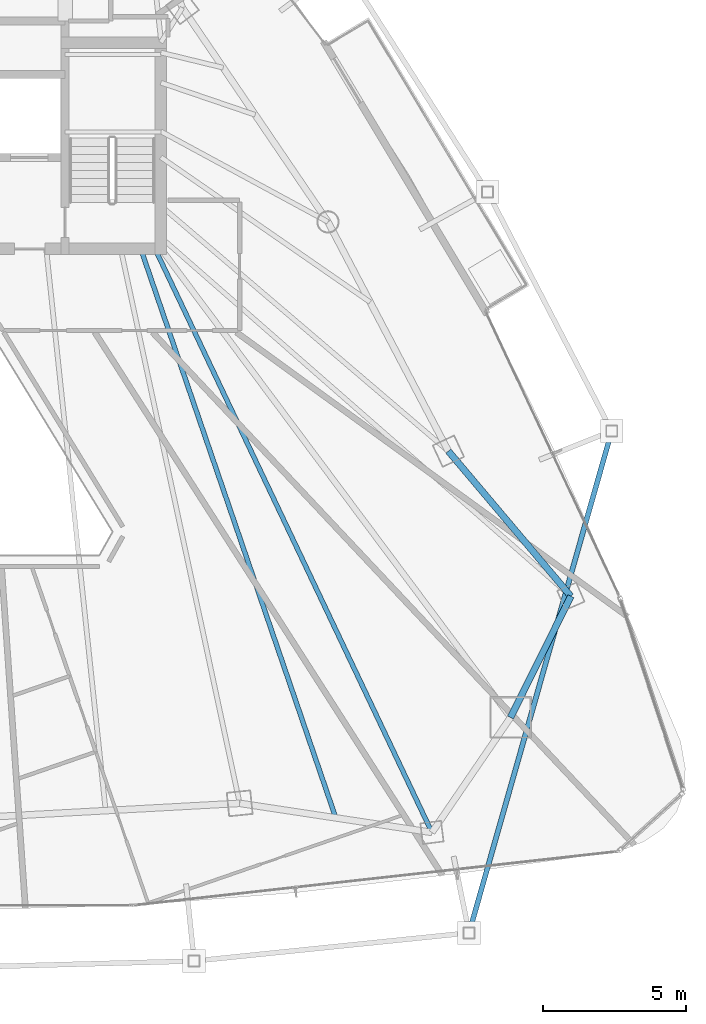
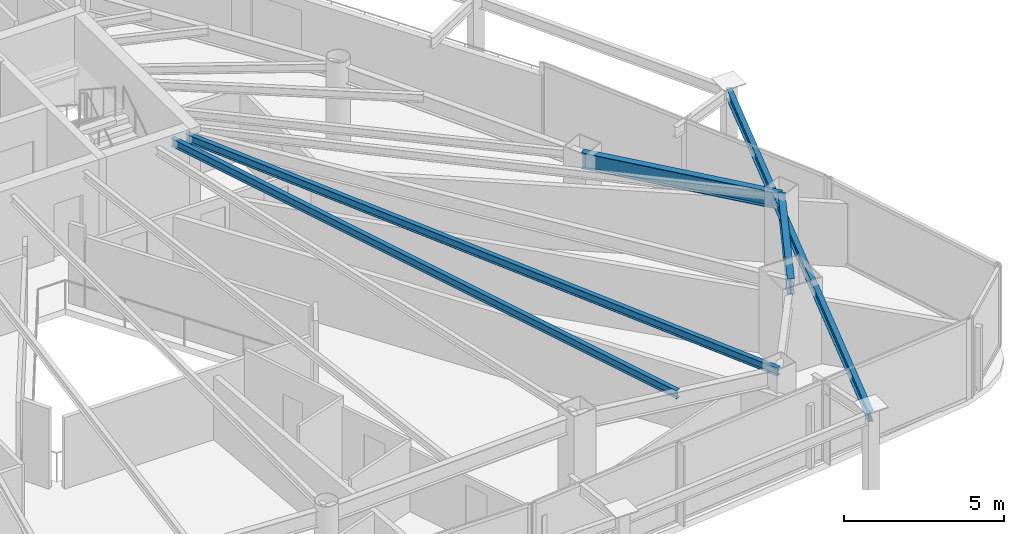
# One storey, part 13 of 29: 5 beams.
"""IFC4 building model written with IfcOpenShell, lengths in metres."""

from ifc_helpers import new_model, si_unit, direction, frame, origin, origin_2d, place, context, subcontext, project, spatial, i_section, extrude, material, material_profile, profile_set, type_object, element, save


model = new_model("IFC4")

# Units and contexts
model_context = context("Model", 3, precision=1e-05, world=origin(), true_north=direction((0.0, 1.0)))
body_context = subcontext(model_context, "Body", "Model", "MODEL_VIEW")
ifc_project = project(units=[si_unit("LENGTHUNIT", "METRE"), si_unit("AREAUNIT", "SQUARE_METRE"), si_unit("VOLUMEUNIT", "CUBIC_METRE"), si_unit("PLANEANGLEUNIT", "RADIAN"), si_unit("MASSUNIT", "GRAM", prefix="KILO")], contexts=[model_context])

# Site, building, storey
site_placement = place(None, origin())
site = spatial("IfcSite", under=ifc_project, at=site_placement, CompositionType="ELEMENT")
building_placement = place(site_placement, origin())
building = spatial("IfcBuilding", under=site, at=building_placement, Name="Orvanel Arch Residences", CompositionType="ELEMENT")
storey_placement = place(building_placement, frame((0.0, 0.0, 167.14990234375)))
storey = spatial("IfcBuildingStorey", under=building, at=storey_placement, Name="L47", CompositionType="ELEMENT", Elevation=167.14990234375)

# Beams
ifc_material = material(Name="Structural steel AS/NZS 3679.1 Grade 300 (300 MPa)", Category="steel")
ifc_material_profile_1 = material_profile(ifc_material, i_section(OverallWidth=0.1650390625, OverallDepth=0.303955078125, WebThickness=0.006103515625, FlangeThickness=0.01025390625, at=origin_2d()), Name="310UB40.4")
ifc_profile_set_1 = profile_set([ifc_material_profile_1], Name="Structural steel AS/NZS 3679.1 Grade 300 (300 MPa)")
beam_type_1 = type_object("IfcBeamType", Name="BJ-310UB", PredefinedType="JOIST", material=ifc_profile_set_1)
beam_1_placement = place(storey_placement, frame((39.39990234375, 26.699951171875, 2.908203125), z_axis=(0.428614365266, -0.903487534993, 0.0), x_axis=(0.903487534993, 0.428614365266, 0.0)))
element("IfcBeam", 1, at=beam_1_placement, inside=storey, type_object=beam_type_1, Name="L47 MSE Wing Floor Joist", PredefinedType="JOIST", context=body_context, shape_type="SweptSolid", body=[
    extrude(i_section(OverallWidth=0.1650390625, OverallDepth=0.303955078125, WebThickness=0.006103515625, FlangeThickness=0.01025390625, at=origin_2d()), origin(), (0.0, 0.0, 1.0), 22.535888671875),
])
beam_2_placement = place(storey_placement, frame((38.89990234375, 26.699951171875, 2.908203125), z_axis=(0.324257108963, -0.945968988544, 0.0), x_axis=(0.945968988544, 0.324257108963, 0.0)))
element("IfcBeam", 2, at=beam_2_placement, inside=storey, type_object=beam_type_1, Name="L47 JADD2 Wing Floor Joist", PredefinedType="JOIST", context=body_context, shape_type="SweptSolid", body=[
    extrude(i_section(OverallWidth=0.1650390625, OverallDepth=0.303955078125, WebThickness=0.006103515625, FlangeThickness=0.01025390625, at=origin_2d()), origin(), (0.0, 0.0, 1.0), 20.987060546875),
])
ifc_material_profile_2 = material_profile(ifc_material, i_section(OverallWidth=0.177978515625, OverallDepth=0.406005859375, WebThickness=0.0078125, FlangeThickness=0.0126953125, at=origin_2d()), Name="410UB59.7")
ifc_profile_set_2 = profile_set([ifc_material_profile_2], Name="Structural steel AS/NZS 3679.1 Grade 300 (300 MPa)")
beam_type_2 = type_object("IfcBeamType", Name="OB-410UB-EXT", PredefinedType="SPANDREL", material=ifc_profile_set_2)
beam_3_placement = place(storey_placement, frame((50.35302734375, 2.8349609375, 2.857177734375), z_axis=(0.27352345483, 0.961865333432, 0.0), x_axis=(-0.961865333432, 0.27352345483, 0.0)))
element("IfcBeam", 3, at=beam_3_placement, inside=storey, type_object=beam_type_2, Name="L47 Outer Perimeter Floor Ring Beam 08", PredefinedType="SPANDREL", context=body_context, shape_type="SweptSolid", body=[
    extrude(i_section(OverallWidth=0.177978515625, OverallDepth=0.406005859375, WebThickness=0.0078125, FlangeThickness=0.0126953125, at=origin_2d()), origin(), (0.0, 0.0, 1.0), 18.203125),
])
ifc_material_profile_3 = material_profile(ifc_material, i_section(OverallWidth=0.22900390625, OverallDepth=0.612060546875, WebThickness=0.011962890625, FlangeThickness=0.01953125, at=origin_2d()), Name="610UB125")
ifc_profile_set_3 = profile_set([ifc_material_profile_3], Name="Structural steel AS/NZS 3679.1 Grade 300 (300 MPa)")
beam_type_3 = type_object("IfcBeamType", Name="SP-610UB", PredefinedType="SPANDREL", material=ifc_profile_set_3)
beam_4_placement = place(storey_placement, frame((51.801025390625, 10.35107421875, 2.754150390625), z_axis=(0.44543469453, 0.895314432425, 0.0), x_axis=(-0.895314432425, 0.44543469453, 0.0)))
element("IfcBeam", 4, at=beam_4_placement, inside=storey, type_object=beam_type_3, Name="L47 Perimeter Spandrel Beam 09", PredefinedType="SPANDREL", context=body_context, shape_type="SweptSolid", body=[
    extrude(i_section(OverallWidth=0.22900390625, OverallDepth=0.612060546875, WebThickness=0.011962890625, FlangeThickness=0.01953125, at=origin_2d()), origin(), (0.0, 0.0, 1.0), 4.723388671875),
])
beam_5_placement = place(storey_placement, frame((53.905029296875, 14.580078125, 2.754150390625), z_axis=(-0.644950329775, 0.764224490659, 0.0), x_axis=(-0.764224490659, -0.644950329775, 0.0)))
element("IfcBeam", 5, at=beam_5_placement, inside=storey, type_object=beam_type_3, Name="L47 Perimeter Spandrel Beam 10", PredefinedType="SPANDREL", context=body_context, shape_type="SweptSolid", body=[
    extrude(i_section(OverallWidth=0.22900390625, OverallDepth=0.612060546875, WebThickness=0.011962890625, FlangeThickness=0.01953125, at=origin_2d()), origin(), (0.0, 0.0, 1.0), 6.623779296875),
])

save(model, "model.ifc")
